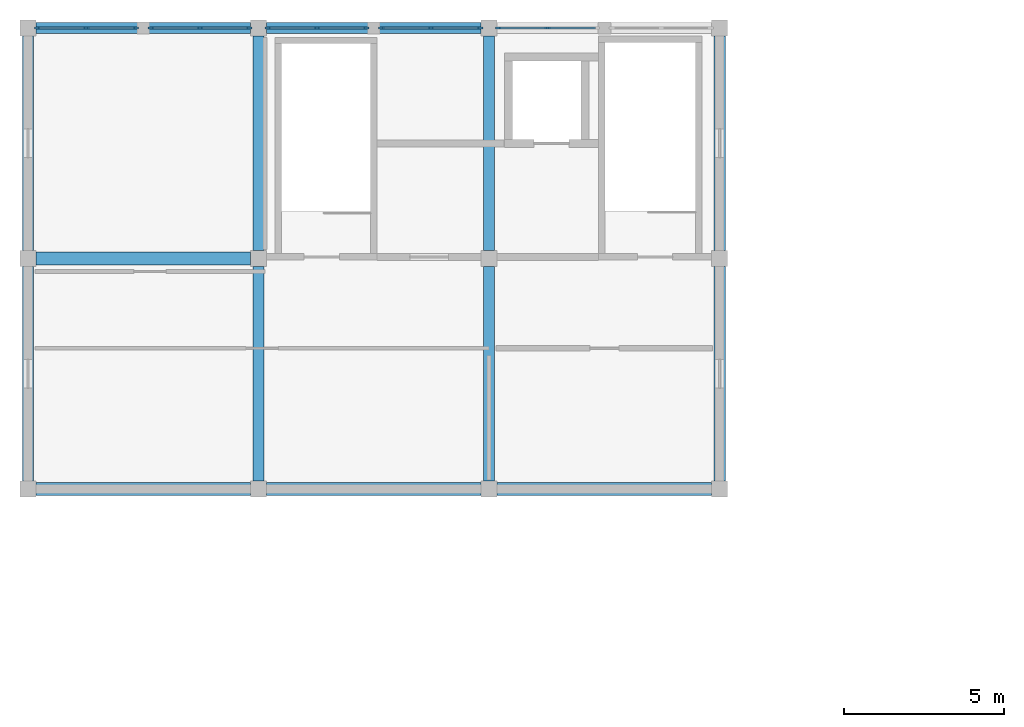
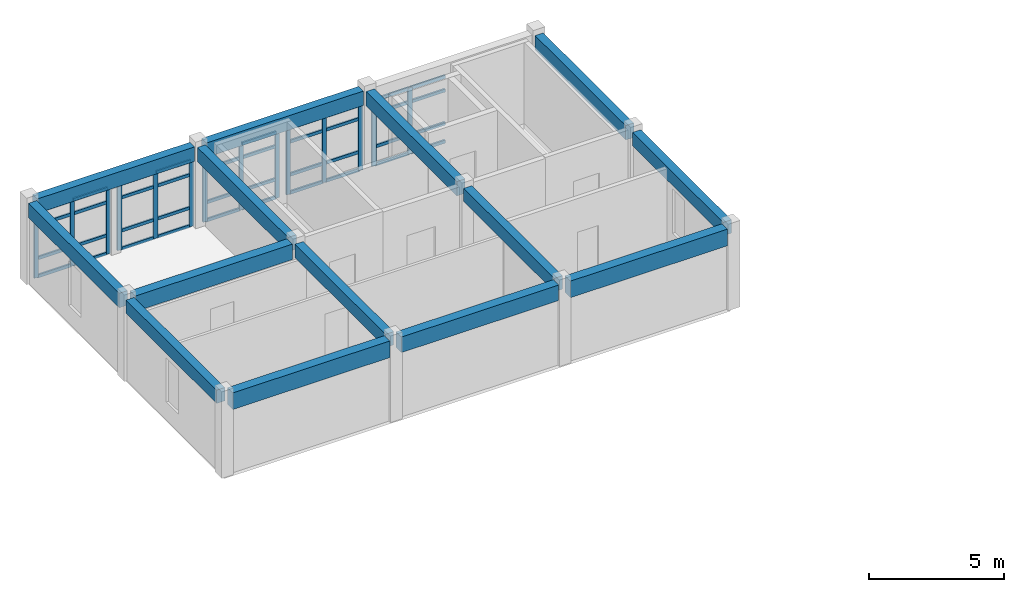
# One storey, part 4 of 14: 54 members, 14 beams, 5 elements without a shape of their own.
"""IFC4 building model written with IfcOpenShell, lengths in metres."""

from ifc_helpers import new_model, si_unit, direction, frame, origin, origin_2d, place, context, subcontext, project, spatial, rectangle, extrude, material, layer, layer_set, material_profile, profile_set, type_object, element, aggregate, save


model = new_model("IFC4")

# Units and contexts
model_context = context("Model", 3, precision=1e-05, world=origin(), true_north=direction((0.0, 1.0)))
body_context = subcontext(model_context, "Body", "Model", "MODEL_VIEW")
ifc_project = project(units=[si_unit("LENGTHUNIT", "METRE"), si_unit("AREAUNIT", "SQUARE_METRE"), si_unit("VOLUMEUNIT", "CUBIC_METRE"), si_unit("PLANEANGLEUNIT", "RADIAN"), si_unit("MASSUNIT", "GRAM", prefix="KILO")], contexts=[model_context])

# Site, building, storey
site_placement = place(None, origin())
site = spatial("IfcSite", under=ifc_project, at=site_placement, CompositionType="ELEMENT")
building_placement = place(site_placement, origin())
building = spatial("IfcBuilding", under=site, at=building_placement, Name="Koriwan Promenade Central Fire Station", CompositionType="ELEMENT")
storey_placement = place(building_placement, frame((0.0, 0.0, 21.300048828125)))
storey = spatial("IfcBuildingStorey", under=building, at=storey_placement, Name="L05", CompositionType="ELEMENT", Elevation=21.300048828125)

# Beams
ifc_material_1 = material(Name="Concrete C35/45", Category="concrete")
ifc_material_profile_1 = material_profile(ifc_material_1, rectangle(XDim=0.35009765625, YDim=0.60009765625, at=origin_2d()), Name="RC-BM-350x600")
ifc_profile_set_1 = profile_set([ifc_material_profile_1], Name="Concrete C35/45")
beam_type_1 = type_object("IfcBeamType", Name="Beam_RC-BM-350x600", PredefinedType="BEAM", material=ifc_profile_set_1)
for number, where, z_axis, x_axis, name in (
    (1, (79.199951171875, 101.050048828125, 3.349853515625), (0.0, 1.0, 0.0), (-1.0, 0.0, 0.0), "V2 L05 girder Y-204"),
    (2, (86.39990234375, 101.050048828125, 3.349853515625), (0.0, 1.0, 0.0), (-1.0, 0.0, 0.0), "V2 L05 girder Y-206"),
    (3, (93.60009765625, 101.050048828125, 3.349853515625), (0.0, 1.0, 0.0), (-1.0, 0.0, 0.0), "V2 L05 girder Y-208"),
    (4, (100.800048828125, 101.050048828125, 3.349853515625), (0.0, 1.0, 0.0), (-1.0, 0.0, 0.0), "V2 L05 girder Y-210"),
):
    element("IfcBeam", number, at=place(storey_placement, frame(where, z_axis=z_axis, x_axis=x_axis)), inside=storey, type_object=beam_type_1, Name=name, PredefinedType="BEAM", context=body_context, shape_type="SweptSolid", body=[
        extrude(rectangle(XDim=0.35009765625, YDim=0.60009765625, at=origin_2d()), origin(), (0.0, 0.0, 1.0), 6.699951171875),
    ])
ifc_material_profile_2 = material_profile(ifc_material_1, rectangle(XDim=0.35009765625, YDim=0.64990234375, at=origin_2d()), Name="RC-BM-350x650")
ifc_profile_set_2 = profile_set([ifc_material_profile_2], Name="Concrete C35/45")
beam_type_2 = type_object("IfcBeamType", Name="Beam_RC-BM-350x650", PredefinedType="BEAM", material=ifc_profile_set_2)
for number, where, z_axis, x_axis, name in (
    (5, (79.199951171875, 108.25, 3.324951171875), (0.0, 1.0, 0.0), (-1.0, 0.0, 0.0), "V2 L05 girder Y-205"),
    (6, (86.39990234375, 108.25, 3.324951171875), (0.0, 1.0, 0.0), (-1.0, 0.0, 0.0), "V2 L05 girder Y-207"),
    (7, (93.60009765625, 108.25, 3.324951171875), (0.0, 1.0, 0.0), (-1.0, 0.0, 0.0), "V2 L05 girder Y-209"),
    (8, (100.800048828125, 108.25, 3.324951171875), (0.0, 1.0, 0.0), (-1.0, 0.0, 0.0), "V2 L05 girder Y-211"),
):
    element("IfcBeam", number, at=place(storey_placement, frame(where, z_axis=z_axis, x_axis=x_axis)), inside=storey, type_object=beam_type_2, Name=name, PredefinedType="BEAM", context=body_context, shape_type="SweptSolid", body=[
        extrude(rectangle(XDim=0.35009765625, YDim=0.64990234375, at=origin_2d()), origin(), (0.0, 0.0, 1.0), 6.699951171875),
    ])
ifc_material_profile_3 = material_profile(ifc_material_1, rectangle(XDim=0.39990234375, YDim=0.699951171875, at=origin_2d()), Name="RC-BM-400x700")
ifc_profile_set_3 = profile_set([ifc_material_profile_3], Name="Concrete C35/45")
beam_type_3 = type_object("IfcBeamType", Name="Beam_RC-BM-400x700", PredefinedType="BEAM", material=ifc_profile_set_3)
beam_1_placement = place(storey_placement, frame((86.64990234375, 100.800048828125, 3.300048828125), z_axis=(1.0, 0.0, 0.0), x_axis=(0.0, 1.0, 0.0)))
element("IfcBeam", 9, at=beam_1_placement, inside=storey, type_object=beam_type_3, Name="V2 L05 girder X-198", PredefinedType="BEAM", context=body_context, shape_type="SweptSolid", body=[
    extrude(rectangle(XDim=0.39990234375, YDim=0.699951171875, at=origin_2d()), origin(), (0.0, 0.0, 1.0), 6.7001953125),
])
beam_2_placement = place(storey_placement, frame((79.449951171875, 108.0, 3.300048828125), z_axis=(1.0, 0.0, 0.0), x_axis=(0.0, 1.0, 0.0)))
element("IfcBeam", 10, at=beam_2_placement, inside=storey, type_object=beam_type_3, Name="V2 L05 girder X-200", PredefinedType="BEAM", context=body_context, shape_type="SweptSolid", body=[
    extrude(rectangle(XDim=0.39990234375, YDim=0.699951171875, at=origin_2d()), origin(), (0.0, 0.0, 1.0), 6.699951171875),
])
ifc_material_profile_4 = material_profile(ifc_material_1, rectangle(XDim=0.39990234375, YDim=0.75, at=origin_2d()), Name="RC-BM-400x750")
ifc_profile_set_4 = profile_set([ifc_material_profile_4], Name="Concrete C35/45")
beam_type_4 = type_object("IfcBeamType", Name="Beam_RC-BM-400x750", PredefinedType="BEAM", material=ifc_profile_set_4)
for number, where, z_axis, x_axis, name in (
    (11, (79.449951171875, 100.800048828125, 3.27490234375), (1.0, 0.0, 0.0), (0.0, 1.0, 0.0), "V2 L05 girder X-197"),
    (12, (93.85009765625, 100.800048828125, 3.27490234375), (1.0, 0.0, 0.0), (0.0, 1.0, 0.0), "V2 L05 girder X-199"),
):
    element("IfcBeam", number, at=place(storey_placement, frame(where, z_axis=z_axis, x_axis=x_axis)), inside=storey, type_object=beam_type_4, Name=name, PredefinedType="BEAM", context=body_context, shape_type="SweptSolid", body=[
        extrude(rectangle(XDim=0.39990234375, YDim=0.75, at=origin_2d()), origin(), (0.0, 0.0, 1.0), 6.699951171875),
    ])
ifc_material_profile_5 = material_profile(ifc_material_1, rectangle(XDim=0.35009765625, YDim=0.64990234375, at=origin_2d()), Name="RC-SP-350x650")
ifc_profile_set_5 = profile_set([ifc_material_profile_5], Name="Concrete C35/45")
beam_type_5 = type_object("IfcBeamType", Name="Beam_RC-SP-350x650", PredefinedType="SPANDREL", material=ifc_profile_set_5)
beam_3_placement = place(storey_placement, frame((79.449951171875, 115.199951171875, 3.324951171875), z_axis=(1.0, 0.0, 0.0), x_axis=(0.0, 1.0, 0.0)))
element("IfcBeam", 13, at=beam_3_placement, inside=storey, type_object=beam_type_5, Name="V2 L05 girder X-201", PredefinedType="SPANDREL", context=body_context, shape_type="SweptSolid", body=[
    extrude(rectangle(XDim=0.35009765625, YDim=0.64990234375, at=origin_2d()), origin(), (0.0, 0.0, 1.0), 6.699951171875),
])
beam_4_placement = place(storey_placement, frame((86.64990234375, 115.199951171875, 3.324951171875), z_axis=(1.0, 0.0, 0.0), x_axis=(0.0, 1.0, 0.0)))
element("IfcBeam", 14, at=beam_4_placement, inside=storey, type_object=beam_type_5, Name="V2 L05 girder X-202", PredefinedType="SPANDREL", context=body_context, shape_type="SweptSolid", body=[
    extrude(rectangle(XDim=0.35009765625, YDim=0.64990234375, at=origin_2d()), origin(), (0.0, 0.0, 1.0), 6.7001953125),
])

# Curtain wall, members
ifc_material_2 = material(Name="Aluminium EN AW-6063-T6 and low-E glazing", Category="aluminium")
ifc_layer = layer(ifc_material_2, 0.159912109375, Name="Aluminium EN AW-6063-T6 and low-E glazing")
ifc_layer_set = layer_set([ifc_layer], Name="Aluminium EN AW-6063-T6 and low-E glazing")
curtain_wall_type = type_object("IfcCurtainWallType", Name="CurtainWall_15_315x299", PredefinedType="USERDEFINED", material=ifc_layer_set)
curtain_wall_1_placement = place(storey_placement, origin())
curtain_wall_1 = element("IfcCurtainWall", 15, at=curtain_wall_1_placement, inside=storey, type_object=curtain_wall_type, Name="V2 L05 unitised curtain wall 046", ObjectType="UNITISED CURTAIN WALL", PredefinedType="USERDEFINED")
ifc_material_3 = material(Name="Aluminium EN AW-6063-T6", Category="aluminium")
ifc_material_profile_6 = material_profile(ifc_material_3, rectangle(XDim=0.074951171875, YDim=0.179931640625, at=origin_2d()), Name="ALU-MUL-75x180")
ifc_profile_set_6 = profile_set([ifc_material_profile_6], Name="Aluminium EN AW-6063-T6")
member_type_1 = type_object("IfcMemberType", Name="CWMullion_ALU-MUL-75x180", PredefinedType="MULLION", material=ifc_profile_set_6)
member_1_placement = place(storey_placement, frame((95.425048828125, 115.199951171875, 0.0), z_axis=(0.0, 0.0, 1.0), x_axis=(0.0, -1.0, 0.0)))
member_1 = element("IfcMember", 16, at=member_1_placement, type_object=member_type_1, Name="CW-15 mullion 2", PredefinedType="MULLION", context=body_context, shape_type="SweptSolid", body=[
    extrude(rectangle(XDim=0.074951171875, YDim=0.179931640625, at=origin_2d()), origin(), (0.0, 0.0, 1.0), 2.989990234375),
])
member_2_placement = place(storey_placement, frame((93.887451171875, 115.199951171875, 0.0), z_axis=(0.0, 0.0, 1.0), x_axis=(0.0, -1.0, 0.0)))
member_2 = element("IfcMember", 17, at=member_2_placement, type_object=member_type_1, Name="CW-15 mullion 3", PredefinedType="MULLION", context=body_context, shape_type="SweptSolid", body=[
    extrude(rectangle(XDim=0.074951171875, YDim=0.179931640625, at=origin_2d()), origin(), (0.0, 0.0, 1.0), 2.989990234375),
])

curtain_wall_2_placement = place(storey_placement, origin())
curtain_wall_2 = element("IfcCurtainWall", 18, at=curtain_wall_2_placement, inside=storey, type_object=curtain_wall_type, Name="V2 L05 unitised curtain wall 047", ObjectType="UNITISED CURTAIN WALL", PredefinedType="USERDEFINED")
member_3_placement = place(storey_placement, frame((93.3125, 115.199951171875, 0.0), z_axis=(0.0, 0.0, 1.0), x_axis=(0.0, -1.0, 0.0)))
member_3 = element("IfcMember", 19, at=member_3_placement, type_object=member_type_1, Name="CW-15 mullion 1", PredefinedType="MULLION", context=body_context, shape_type="SweptSolid", body=[
    extrude(rectangle(XDim=0.074951171875, YDim=0.179931640625, at=origin_2d()), origin(), (0.0, 0.0, 1.0), 2.989990234375),
])
member_4_placement = place(storey_placement, frame((91.77490234375, 115.199951171875, 0.0), z_axis=(0.0, 0.0, 1.0), x_axis=(0.0, -1.0, 0.0)))
member_4 = element("IfcMember", 20, at=member_4_placement, type_object=member_type_1, Name="CW-15 mullion 2", PredefinedType="MULLION", context=body_context, shape_type="SweptSolid", body=[
    extrude(rectangle(XDim=0.074951171875, YDim=0.179931640625, at=origin_2d()), origin(), (0.0, 0.0, 1.0), 2.989990234375),
])
member_5_placement = place(storey_placement, frame((90.237548828125, 115.199951171875, 0.0), z_axis=(0.0, 0.0, 1.0), x_axis=(0.0, -1.0, 0.0)))
member_5 = element("IfcMember", 21, at=member_5_placement, type_object=member_type_1, Name="CW-15 mullion 3", PredefinedType="MULLION", context=body_context, shape_type="SweptSolid", body=[
    extrude(rectangle(XDim=0.074951171875, YDim=0.179931640625, at=origin_2d()), origin(), (0.0, 0.0, 1.0), 2.989990234375),
])

curtain_wall_3_placement = place(storey_placement, origin())
curtain_wall_3 = element("IfcCurtainWall", 22, at=curtain_wall_3_placement, inside=storey, type_object=curtain_wall_type, Name="V2 L05 unitised curtain wall 048", ObjectType="UNITISED CURTAIN WALL", PredefinedType="USERDEFINED")
member_6_placement = place(storey_placement, frame((89.762451171875, 115.199951171875, 0.0), z_axis=(0.0, 0.0, 1.0), x_axis=(0.0, -1.0, 0.0)))
member_6 = element("IfcMember", 23, at=member_6_placement, type_object=member_type_1, Name="CW-15 mullion 1", PredefinedType="MULLION", context=body_context, shape_type="SweptSolid", body=[
    extrude(rectangle(XDim=0.074951171875, YDim=0.179931640625, at=origin_2d()), origin(), (0.0, 0.0, 1.0), 2.989990234375),
])
member_7_placement = place(storey_placement, frame((88.22509765625, 115.199951171875, 0.0), z_axis=(0.0, 0.0, 1.0), x_axis=(0.0, -1.0, 0.0)))
member_7 = element("IfcMember", 24, at=member_7_placement, type_object=member_type_1, Name="CW-15 mullion 2", PredefinedType="MULLION", context=body_context, shape_type="SweptSolid", body=[
    extrude(rectangle(XDim=0.074951171875, YDim=0.179931640625, at=origin_2d()), origin(), (0.0, 0.0, 1.0), 2.989990234375),
])
member_8_placement = place(storey_placement, frame((86.6875, 115.199951171875, 0.0), z_axis=(0.0, 0.0, 1.0), x_axis=(0.0, -1.0, 0.0)))
member_8 = element("IfcMember", 25, at=member_8_placement, type_object=member_type_1, Name="CW-15 mullion 3", PredefinedType="MULLION", context=body_context, shape_type="SweptSolid", body=[
    extrude(rectangle(XDim=0.074951171875, YDim=0.179931640625, at=origin_2d()), origin(), (0.0, 0.0, 1.0), 2.989990234375),
])

curtain_wall_4_placement = place(storey_placement, origin())
curtain_wall_4 = element("IfcCurtainWall", 26, at=curtain_wall_4_placement, inside=storey, type_object=curtain_wall_type, Name="V2 L05 unitised curtain wall 049", ObjectType="UNITISED CURTAIN WALL", PredefinedType="USERDEFINED")
member_9_placement = place(storey_placement, frame((86.112548828125, 115.199951171875, 0.0), z_axis=(0.0, 0.0, 1.0), x_axis=(0.0, -1.0, 0.0)))
member_9 = element("IfcMember", 27, at=member_9_placement, type_object=member_type_1, Name="CW-15 mullion 1", PredefinedType="MULLION", context=body_context, shape_type="SweptSolid", body=[
    extrude(rectangle(XDim=0.074951171875, YDim=0.179931640625, at=origin_2d()), origin(), (0.0, 0.0, 1.0), 2.989990234375),
])
member_10_placement = place(storey_placement, frame((84.574951171875, 115.199951171875, 0.0), z_axis=(0.0, 0.0, 1.0), x_axis=(0.0, -1.0, 0.0)))
member_10 = element("IfcMember", 28, at=member_10_placement, type_object=member_type_1, Name="CW-15 mullion 2", PredefinedType="MULLION", context=body_context, shape_type="SweptSolid", body=[
    extrude(rectangle(XDim=0.074951171875, YDim=0.179931640625, at=origin_2d()), origin(), (0.0, 0.0, 1.0), 2.989990234375),
])
member_11_placement = place(storey_placement, frame((83.03759765625, 115.199951171875, 0.0), z_axis=(0.0, 0.0, 1.0), x_axis=(0.0, -1.0, 0.0)))
member_11 = element("IfcMember", 29, at=member_11_placement, type_object=member_type_1, Name="CW-15 mullion 3", PredefinedType="MULLION", context=body_context, shape_type="SweptSolid", body=[
    extrude(rectangle(XDim=0.074951171875, YDim=0.179931640625, at=origin_2d()), origin(), (0.0, 0.0, 1.0), 2.989990234375),
])

curtain_wall_5_placement = place(storey_placement, origin())
curtain_wall_5 = element("IfcCurtainWall", 30, at=curtain_wall_5_placement, inside=storey, type_object=curtain_wall_type, Name="V2 L05 unitised curtain wall 050", ObjectType="UNITISED CURTAIN WALL", PredefinedType="USERDEFINED")
member_12_placement = place(storey_placement, frame((82.5625, 115.199951171875, 0.0), z_axis=(0.0, 0.0, 1.0), x_axis=(0.0, -1.0, 0.0)))
member_12 = element("IfcMember", 31, at=member_12_placement, type_object=member_type_1, Name="CW-15 mullion 1", PredefinedType="MULLION", context=body_context, shape_type="SweptSolid", body=[
    extrude(rectangle(XDim=0.074951171875, YDim=0.179931640625, at=origin_2d()), origin(), (0.0, 0.0, 1.0), 2.989990234375),
])
member_13_placement = place(storey_placement, frame((81.02490234375, 115.199951171875, 0.0), z_axis=(0.0, 0.0, 1.0), x_axis=(0.0, -1.0, 0.0)))
member_13 = element("IfcMember", 32, at=member_13_placement, type_object=member_type_1, Name="CW-15 mullion 2", PredefinedType="MULLION", context=body_context, shape_type="SweptSolid", body=[
    extrude(rectangle(XDim=0.074951171875, YDim=0.179931640625, at=origin_2d()), origin(), (0.0, 0.0, 1.0), 2.989990234375),
])
member_14_placement = place(storey_placement, frame((79.487548828125, 115.199951171875, 0.0), z_axis=(0.0, 0.0, 1.0), x_axis=(0.0, -1.0, 0.0)))
member_14 = element("IfcMember", 33, at=member_14_placement, type_object=member_type_1, Name="CW-15 mullion 3", PredefinedType="MULLION", context=body_context, shape_type="SweptSolid", body=[
    extrude(rectangle(XDim=0.074951171875, YDim=0.179931640625, at=origin_2d()), origin(), (0.0, 0.0, 1.0), 2.989990234375),
])

# Member
ifc_material_profile_7 = material_profile(ifc_material_3, rectangle(XDim=0.074951171875, YDim=0.139892578125, at=origin_2d()), Name="ALU-TRN-75x140")
ifc_profile_set_7 = profile_set([ifc_material_profile_7], Name="Aluminium EN AW-6063-T6")
member_type_2 = type_object("IfcMemberType", Name="CWTransom_ALU-TRN-75x140", PredefinedType="USERDEFINED", material=ifc_profile_set_7)
member_15_placement = place(storey_placement, frame((96.925048828125, 115.199951171875, 0.037353515625), z_axis=(-1.0, 0.0, 0.0), x_axis=(0.0, -1.0, 0.0)))
member_15 = element("IfcMember", 34, at=member_15_placement, type_object=member_type_2, Name="CW-15 transom 1.1", ObjectType="TRANSOM", PredefinedType="USERDEFINED", context=body_context, shape_type="SweptSolid", body=[
    extrude(rectangle(XDim=0.074951171875, YDim=0.139892578125, at=origin_2d()), origin(), (0.0, 0.0, 1.0), 1.462646484375),
])

member_16_placement = place(storey_placement, frame((96.925048828125, 115.199951171875, 0.849853515625), z_axis=(-1.0, 0.0, 0.0), x_axis=(0.0, -1.0, 0.0)))
member_16 = element("IfcMember", 35, at=member_16_placement, type_object=member_type_2, Name="CW-15 transom 1.2", ObjectType="TRANSOM", PredefinedType="USERDEFINED", context=body_context, shape_type="SweptSolid", body=[
    extrude(rectangle(XDim=0.074951171875, YDim=0.139892578125, at=origin_2d()), origin(), (0.0, 0.0, 1.0), 1.462646484375),
])

member_17_placement = place(storey_placement, frame((96.925048828125, 115.199951171875, 2.33984375), z_axis=(-1.0, 0.0, 0.0), x_axis=(0.0, -1.0, 0.0)))
member_17 = element("IfcMember", 36, at=member_17_placement, type_object=member_type_2, Name="CW-15 transom 1.3", ObjectType="TRANSOM", PredefinedType="USERDEFINED", context=body_context, shape_type="SweptSolid", body=[
    extrude(rectangle(XDim=0.074951171875, YDim=0.139892578125, at=origin_2d()), origin(), (0.0, 0.0, 1.0), 1.462646484375),
])

member_18_placement = place(storey_placement, frame((96.925048828125, 115.199951171875, 2.952392578125), z_axis=(-1.0, 0.0, 0.0), x_axis=(0.0, -1.0, 0.0)))
member_18 = element("IfcMember", 37, at=member_18_placement, type_object=member_type_2, Name="CW-15 transom 1.4", ObjectType="TRANSOM", PredefinedType="USERDEFINED", context=body_context, shape_type="SweptSolid", body=[
    extrude(rectangle(XDim=0.074951171875, YDim=0.139892578125, at=origin_2d()), origin(), (0.0, 0.0, 1.0), 1.462646484375),
])

member_19_placement = place(storey_placement, frame((95.387451171875, 115.199951171875, 0.037353515625), z_axis=(-1.0, 0.0, 0.0), x_axis=(0.0, -1.0, 0.0)))
member_19 = element("IfcMember", 38, at=member_19_placement, type_object=member_type_2, Name="CW-15 transom 2.1", ObjectType="TRANSOM", PredefinedType="USERDEFINED", context=body_context, shape_type="SweptSolid", body=[
    extrude(rectangle(XDim=0.074951171875, YDim=0.139892578125, at=origin_2d()), origin(), (0.0, 0.0, 1.0), 1.46240234375),
])

member_20_placement = place(storey_placement, frame((95.387451171875, 115.199951171875, 0.849853515625), z_axis=(-1.0, 0.0, 0.0), x_axis=(0.0, -1.0, 0.0)))
member_20 = element("IfcMember", 39, at=member_20_placement, type_object=member_type_2, Name="CW-15 transom 2.2", ObjectType="TRANSOM", PredefinedType="USERDEFINED", context=body_context, shape_type="SweptSolid", body=[
    extrude(rectangle(XDim=0.074951171875, YDim=0.139892578125, at=origin_2d()), origin(), (0.0, 0.0, 1.0), 1.46240234375),
])

member_21_placement = place(storey_placement, frame((95.387451171875, 115.199951171875, 2.33984375), z_axis=(-1.0, 0.0, 0.0), x_axis=(0.0, -1.0, 0.0)))
member_21 = element("IfcMember", 40, at=member_21_placement, type_object=member_type_2, Name="CW-15 transom 2.3", ObjectType="TRANSOM", PredefinedType="USERDEFINED", context=body_context, shape_type="SweptSolid", body=[
    extrude(rectangle(XDim=0.074951171875, YDim=0.139892578125, at=origin_2d()), origin(), (0.0, 0.0, 1.0), 1.46240234375),
])

member_22_placement = place(storey_placement, frame((95.387451171875, 115.199951171875, 2.952392578125), z_axis=(-1.0, 0.0, 0.0), x_axis=(0.0, -1.0, 0.0)))
member_22 = element("IfcMember", 41, at=member_22_placement, type_object=member_type_2, Name="CW-15 transom 2.4", ObjectType="TRANSOM", PredefinedType="USERDEFINED", context=body_context, shape_type="SweptSolid", body=[
    extrude(rectangle(XDim=0.074951171875, YDim=0.139892578125, at=origin_2d()), origin(), (0.0, 0.0, 1.0), 1.46240234375),
])

aggregate(curtain_wall_1, [member_1, member_2, member_15, member_16, member_17, member_18, member_19, member_20, member_21, member_22])

member_23_placement = place(storey_placement, frame((93.27490234375, 115.199951171875, 0.037353515625), z_axis=(-1.0, 0.0, 0.0), x_axis=(0.0, -1.0, 0.0)))
member_23 = element("IfcMember", 42, at=member_23_placement, type_object=member_type_2, Name="CW-15 transom 1.1", ObjectType="TRANSOM", PredefinedType="USERDEFINED", context=body_context, shape_type="SweptSolid", body=[
    extrude(rectangle(XDim=0.074951171875, YDim=0.139892578125, at=origin_2d()), origin(), (0.0, 0.0, 1.0), 1.46240234375),
])

member_24_placement = place(storey_placement, frame((93.27490234375, 115.199951171875, 0.849853515625), z_axis=(-1.0, 0.0, 0.0), x_axis=(0.0, -1.0, 0.0)))
member_24 = element("IfcMember", 43, at=member_24_placement, type_object=member_type_2, Name="CW-15 transom 1.2", ObjectType="TRANSOM", PredefinedType="USERDEFINED", context=body_context, shape_type="SweptSolid", body=[
    extrude(rectangle(XDim=0.074951171875, YDim=0.139892578125, at=origin_2d()), origin(), (0.0, 0.0, 1.0), 1.46240234375),
])

member_25_placement = place(storey_placement, frame((93.27490234375, 115.199951171875, 2.33984375), z_axis=(-1.0, 0.0, 0.0), x_axis=(0.0, -1.0, 0.0)))
member_25 = element("IfcMember", 44, at=member_25_placement, type_object=member_type_2, Name="CW-15 transom 1.3", ObjectType="TRANSOM", PredefinedType="USERDEFINED", context=body_context, shape_type="SweptSolid", body=[
    extrude(rectangle(XDim=0.074951171875, YDim=0.139892578125, at=origin_2d()), origin(), (0.0, 0.0, 1.0), 1.46240234375),
])

member_26_placement = place(storey_placement, frame((93.27490234375, 115.199951171875, 2.952392578125), z_axis=(-1.0, 0.0, 0.0), x_axis=(0.0, -1.0, 0.0)))
member_26 = element("IfcMember", 45, at=member_26_placement, type_object=member_type_2, Name="CW-15 transom 1.4", ObjectType="TRANSOM", PredefinedType="USERDEFINED", context=body_context, shape_type="SweptSolid", body=[
    extrude(rectangle(XDim=0.074951171875, YDim=0.139892578125, at=origin_2d()), origin(), (0.0, 0.0, 1.0), 1.46240234375),
])

member_27_placement = place(storey_placement, frame((91.737548828125, 115.199951171875, 0.037353515625), z_axis=(-1.0, 0.0, 0.0), x_axis=(0.0, -1.0, 0.0)))
member_27 = element("IfcMember", 46, at=member_27_placement, type_object=member_type_2, Name="CW-15 transom 2.1", ObjectType="TRANSOM", PredefinedType="USERDEFINED", context=body_context, shape_type="SweptSolid", body=[
    extrude(rectangle(XDim=0.074951171875, YDim=0.139892578125, at=origin_2d()), origin(), (0.0, 0.0, 1.0), 1.462646484375),
])

member_28_placement = place(storey_placement, frame((91.737548828125, 115.199951171875, 0.849853515625), z_axis=(-1.0, 0.0, 0.0), x_axis=(0.0, -1.0, 0.0)))
member_28 = element("IfcMember", 47, at=member_28_placement, type_object=member_type_2, Name="CW-15 transom 2.2", ObjectType="TRANSOM", PredefinedType="USERDEFINED", context=body_context, shape_type="SweptSolid", body=[
    extrude(rectangle(XDim=0.074951171875, YDim=0.139892578125, at=origin_2d()), origin(), (0.0, 0.0, 1.0), 1.462646484375),
])

member_29_placement = place(storey_placement, frame((91.737548828125, 115.199951171875, 2.33984375), z_axis=(-1.0, 0.0, 0.0), x_axis=(0.0, -1.0, 0.0)))
member_29 = element("IfcMember", 48, at=member_29_placement, type_object=member_type_2, Name="CW-15 transom 2.3", ObjectType="TRANSOM", PredefinedType="USERDEFINED", context=body_context, shape_type="SweptSolid", body=[
    extrude(rectangle(XDim=0.074951171875, YDim=0.139892578125, at=origin_2d()), origin(), (0.0, 0.0, 1.0), 1.462646484375),
])

member_30_placement = place(storey_placement, frame((91.737548828125, 115.199951171875, 2.952392578125), z_axis=(-1.0, 0.0, 0.0), x_axis=(0.0, -1.0, 0.0)))
member_30 = element("IfcMember", 49, at=member_30_placement, type_object=member_type_2, Name="CW-15 transom 2.4", ObjectType="TRANSOM", PredefinedType="USERDEFINED", context=body_context, shape_type="SweptSolid", body=[
    extrude(rectangle(XDim=0.074951171875, YDim=0.139892578125, at=origin_2d()), origin(), (0.0, 0.0, 1.0), 1.462646484375),
])

aggregate(curtain_wall_2, [member_3, member_4, member_5, member_23, member_24, member_25, member_26, member_27, member_28, member_29, member_30])

member_31_placement = place(storey_placement, frame((89.72509765625, 115.199951171875, 0.037353515625), z_axis=(-1.0, 0.0, 0.0), x_axis=(0.0, -1.0, 0.0)))
member_31 = element("IfcMember", 50, at=member_31_placement, type_object=member_type_2, Name="CW-15 transom 1.1", ObjectType="TRANSOM", PredefinedType="USERDEFINED", context=body_context, shape_type="SweptSolid", body=[
    extrude(rectangle(XDim=0.074951171875, YDim=0.139892578125, at=origin_2d()), origin(), (0.0, 0.0, 1.0), 1.462646484375),
])

member_32_placement = place(storey_placement, frame((89.72509765625, 115.199951171875, 0.849853515625), z_axis=(-1.0, 0.0, 0.0), x_axis=(0.0, -1.0, 0.0)))
member_32 = element("IfcMember", 51, at=member_32_placement, type_object=member_type_2, Name="CW-15 transom 1.2", ObjectType="TRANSOM", PredefinedType="USERDEFINED", context=body_context, shape_type="SweptSolid", body=[
    extrude(rectangle(XDim=0.074951171875, YDim=0.139892578125, at=origin_2d()), origin(), (0.0, 0.0, 1.0), 1.462646484375),
])

member_33_placement = place(storey_placement, frame((89.72509765625, 115.199951171875, 2.33984375), z_axis=(-1.0, 0.0, 0.0), x_axis=(0.0, -1.0, 0.0)))
member_33 = element("IfcMember", 52, at=member_33_placement, type_object=member_type_2, Name="CW-15 transom 1.3", ObjectType="TRANSOM", PredefinedType="USERDEFINED", context=body_context, shape_type="SweptSolid", body=[
    extrude(rectangle(XDim=0.074951171875, YDim=0.139892578125, at=origin_2d()), origin(), (0.0, 0.0, 1.0), 1.462646484375),
])

member_34_placement = place(storey_placement, frame((89.72509765625, 115.199951171875, 2.952392578125), z_axis=(-1.0, 0.0, 0.0), x_axis=(0.0, -1.0, 0.0)))
member_34 = element("IfcMember", 53, at=member_34_placement, type_object=member_type_2, Name="CW-15 transom 1.4", ObjectType="TRANSOM", PredefinedType="USERDEFINED", context=body_context, shape_type="SweptSolid", body=[
    extrude(rectangle(XDim=0.074951171875, YDim=0.139892578125, at=origin_2d()), origin(), (0.0, 0.0, 1.0), 1.462646484375),
])

member_35_placement = place(storey_placement, frame((88.1875, 115.199951171875, 0.037353515625), z_axis=(-1.0, 0.0, 0.0), x_axis=(0.0, -1.0, 0.0)))
member_35 = element("IfcMember", 54, at=member_35_placement, type_object=member_type_2, Name="CW-15 transom 2.1", ObjectType="TRANSOM", PredefinedType="USERDEFINED", context=body_context, shape_type="SweptSolid", body=[
    extrude(rectangle(XDim=0.074951171875, YDim=0.139892578125, at=origin_2d()), origin(), (0.0, 0.0, 1.0), 1.46240234375),
])

member_36_placement = place(storey_placement, frame((88.1875, 115.199951171875, 0.849853515625), z_axis=(-1.0, 0.0, 0.0), x_axis=(0.0, -1.0, 0.0)))
member_36 = element("IfcMember", 55, at=member_36_placement, type_object=member_type_2, Name="CW-15 transom 2.2", ObjectType="TRANSOM", PredefinedType="USERDEFINED", context=body_context, shape_type="SweptSolid", body=[
    extrude(rectangle(XDim=0.074951171875, YDim=0.139892578125, at=origin_2d()), origin(), (0.0, 0.0, 1.0), 1.46240234375),
])

member_37_placement = place(storey_placement, frame((88.1875, 115.199951171875, 2.33984375), z_axis=(-1.0, 0.0, 0.0), x_axis=(0.0, -1.0, 0.0)))
member_37 = element("IfcMember", 56, at=member_37_placement, type_object=member_type_2, Name="CW-15 transom 2.3", ObjectType="TRANSOM", PredefinedType="USERDEFINED", context=body_context, shape_type="SweptSolid", body=[
    extrude(rectangle(XDim=0.074951171875, YDim=0.139892578125, at=origin_2d()), origin(), (0.0, 0.0, 1.0), 1.46240234375),
])

member_38_placement = place(storey_placement, frame((88.1875, 115.199951171875, 2.952392578125), z_axis=(-1.0, 0.0, 0.0), x_axis=(0.0, -1.0, 0.0)))
member_38 = element("IfcMember", 57, at=member_38_placement, type_object=member_type_2, Name="CW-15 transom 2.4", ObjectType="TRANSOM", PredefinedType="USERDEFINED", context=body_context, shape_type="SweptSolid", body=[
    extrude(rectangle(XDim=0.074951171875, YDim=0.139892578125, at=origin_2d()), origin(), (0.0, 0.0, 1.0), 1.46240234375),
])

aggregate(curtain_wall_3, [member_6, member_7, member_8, member_31, member_32, member_33, member_34, member_35, member_36, member_37, member_38])

member_39_placement = place(storey_placement, frame((86.074951171875, 115.199951171875, 0.037353515625), z_axis=(-1.0, 0.0, 0.0), x_axis=(0.0, -1.0, 0.0)))
member_39 = element("IfcMember", 58, at=member_39_placement, type_object=member_type_2, Name="CW-15 transom 1.1", ObjectType="TRANSOM", PredefinedType="USERDEFINED", context=body_context, shape_type="SweptSolid", body=[
    extrude(rectangle(XDim=0.074951171875, YDim=0.139892578125, at=origin_2d()), origin(), (0.0, 0.0, 1.0), 1.46240234375),
])

member_40_placement = place(storey_placement, frame((86.074951171875, 115.199951171875, 0.849853515625), z_axis=(-1.0, 0.0, 0.0), x_axis=(0.0, -1.0, 0.0)))
member_40 = element("IfcMember", 59, at=member_40_placement, type_object=member_type_2, Name="CW-15 transom 1.2", ObjectType="TRANSOM", PredefinedType="USERDEFINED", context=body_context, shape_type="SweptSolid", body=[
    extrude(rectangle(XDim=0.074951171875, YDim=0.139892578125, at=origin_2d()), origin(), (0.0, 0.0, 1.0), 1.46240234375),
])

member_41_placement = place(storey_placement, frame((86.074951171875, 115.199951171875, 2.33984375), z_axis=(-1.0, 0.0, 0.0), x_axis=(0.0, -1.0, 0.0)))
member_41 = element("IfcMember", 60, at=member_41_placement, type_object=member_type_2, Name="CW-15 transom 1.3", ObjectType="TRANSOM", PredefinedType="USERDEFINED", context=body_context, shape_type="SweptSolid", body=[
    extrude(rectangle(XDim=0.074951171875, YDim=0.139892578125, at=origin_2d()), origin(), (0.0, 0.0, 1.0), 1.46240234375),
])

member_42_placement = place(storey_placement, frame((86.074951171875, 115.199951171875, 2.952392578125), z_axis=(-1.0, 0.0, 0.0), x_axis=(0.0, -1.0, 0.0)))
member_42 = element("IfcMember", 61, at=member_42_placement, type_object=member_type_2, Name="CW-15 transom 1.4", ObjectType="TRANSOM", PredefinedType="USERDEFINED", context=body_context, shape_type="SweptSolid", body=[
    extrude(rectangle(XDim=0.074951171875, YDim=0.139892578125, at=origin_2d()), origin(), (0.0, 0.0, 1.0), 1.46240234375),
])

member_43_placement = place(storey_placement, frame((84.53759765625, 115.199951171875, 0.037353515625), z_axis=(-1.0, 0.0, 0.0), x_axis=(0.0, -1.0, 0.0)))
member_43 = element("IfcMember", 62, at=member_43_placement, type_object=member_type_2, Name="CW-15 transom 2.1", ObjectType="TRANSOM", PredefinedType="USERDEFINED", context=body_context, shape_type="SweptSolid", body=[
    extrude(rectangle(XDim=0.074951171875, YDim=0.139892578125, at=origin_2d()), origin(), (0.0, 0.0, 1.0), 1.462646484375),
])

member_44_placement = place(storey_placement, frame((84.53759765625, 115.199951171875, 0.849853515625), z_axis=(-1.0, 0.0, 0.0), x_axis=(0.0, -1.0, 0.0)))
member_44 = element("IfcMember", 63, at=member_44_placement, type_object=member_type_2, Name="CW-15 transom 2.2", ObjectType="TRANSOM", PredefinedType="USERDEFINED", context=body_context, shape_type="SweptSolid", body=[
    extrude(rectangle(XDim=0.074951171875, YDim=0.139892578125, at=origin_2d()), origin(), (0.0, 0.0, 1.0), 1.462646484375),
])

member_45_placement = place(storey_placement, frame((84.53759765625, 115.199951171875, 2.33984375), z_axis=(-1.0, 0.0, 0.0), x_axis=(0.0, -1.0, 0.0)))
member_45 = element("IfcMember", 64, at=member_45_placement, type_object=member_type_2, Name="CW-15 transom 2.3", ObjectType="TRANSOM", PredefinedType="USERDEFINED", context=body_context, shape_type="SweptSolid", body=[
    extrude(rectangle(XDim=0.074951171875, YDim=0.139892578125, at=origin_2d()), origin(), (0.0, 0.0, 1.0), 1.462646484375),
])

member_46_placement = place(storey_placement, frame((84.53759765625, 115.199951171875, 2.952392578125), z_axis=(-1.0, 0.0, 0.0), x_axis=(0.0, -1.0, 0.0)))
member_46 = element("IfcMember", 65, at=member_46_placement, type_object=member_type_2, Name="CW-15 transom 2.4", ObjectType="TRANSOM", PredefinedType="USERDEFINED", context=body_context, shape_type="SweptSolid", body=[
    extrude(rectangle(XDim=0.074951171875, YDim=0.139892578125, at=origin_2d()), origin(), (0.0, 0.0, 1.0), 1.462646484375),
])

aggregate(curtain_wall_4, [member_9, member_10, member_11, member_39, member_40, member_41, member_42, member_43, member_44, member_45, member_46])

member_47_placement = place(storey_placement, frame((82.52490234375, 115.199951171875, 0.037353515625), z_axis=(-1.0, 0.0, 0.0), x_axis=(0.0, -1.0, 0.0)))
member_47 = element("IfcMember", 66, at=member_47_placement, type_object=member_type_2, Name="CW-15 transom 1.1", ObjectType="TRANSOM", PredefinedType="USERDEFINED", context=body_context, shape_type="SweptSolid", body=[
    extrude(rectangle(XDim=0.074951171875, YDim=0.139892578125, at=origin_2d()), origin(), (0.0, 0.0, 1.0), 1.46240234375),
])

member_48_placement = place(storey_placement, frame((82.52490234375, 115.199951171875, 0.849853515625), z_axis=(-1.0, 0.0, 0.0), x_axis=(0.0, -1.0, 0.0)))
member_48 = element("IfcMember", 67, at=member_48_placement, type_object=member_type_2, Name="CW-15 transom 1.2", ObjectType="TRANSOM", PredefinedType="USERDEFINED", context=body_context, shape_type="SweptSolid", body=[
    extrude(rectangle(XDim=0.074951171875, YDim=0.139892578125, at=origin_2d()), origin(), (0.0, 0.0, 1.0), 1.46240234375),
])

member_49_placement = place(storey_placement, frame((82.52490234375, 115.199951171875, 2.33984375), z_axis=(-1.0, 0.0, 0.0), x_axis=(0.0, -1.0, 0.0)))
member_49 = element("IfcMember", 68, at=member_49_placement, type_object=member_type_2, Name="CW-15 transom 1.3", ObjectType="TRANSOM", PredefinedType="USERDEFINED", context=body_context, shape_type="SweptSolid", body=[
    extrude(rectangle(XDim=0.074951171875, YDim=0.139892578125, at=origin_2d()), origin(), (0.0, 0.0, 1.0), 1.46240234375),
])

member_50_placement = place(storey_placement, frame((82.52490234375, 115.199951171875, 2.952392578125), z_axis=(-1.0, 0.0, 0.0), x_axis=(0.0, -1.0, 0.0)))
member_50 = element("IfcMember", 69, at=member_50_placement, type_object=member_type_2, Name="CW-15 transom 1.4", ObjectType="TRANSOM", PredefinedType="USERDEFINED", context=body_context, shape_type="SweptSolid", body=[
    extrude(rectangle(XDim=0.074951171875, YDim=0.139892578125, at=origin_2d()), origin(), (0.0, 0.0, 1.0), 1.46240234375),
])

member_51_placement = place(storey_placement, frame((80.987548828125, 115.199951171875, 0.037353515625), z_axis=(-1.0, 0.0, 0.0), x_axis=(0.0, -1.0, 0.0)))
member_51 = element("IfcMember", 70, at=member_51_placement, type_object=member_type_2, Name="CW-15 transom 2.1", ObjectType="TRANSOM", PredefinedType="USERDEFINED", context=body_context, shape_type="SweptSolid", body=[
    extrude(rectangle(XDim=0.074951171875, YDim=0.139892578125, at=origin_2d()), origin(), (0.0, 0.0, 1.0), 1.462646484375),
])

member_52_placement = place(storey_placement, frame((80.987548828125, 115.199951171875, 0.849853515625), z_axis=(-1.0, 0.0, 0.0), x_axis=(0.0, -1.0, 0.0)))
member_52 = element("IfcMember", 71, at=member_52_placement, type_object=member_type_2, Name="CW-15 transom 2.2", ObjectType="TRANSOM", PredefinedType="USERDEFINED", context=body_context, shape_type="SweptSolid", body=[
    extrude(rectangle(XDim=0.074951171875, YDim=0.139892578125, at=origin_2d()), origin(), (0.0, 0.0, 1.0), 1.462646484375),
])

member_53_placement = place(storey_placement, frame((80.987548828125, 115.199951171875, 2.33984375), z_axis=(-1.0, 0.0, 0.0), x_axis=(0.0, -1.0, 0.0)))
member_53 = element("IfcMember", 72, at=member_53_placement, type_object=member_type_2, Name="CW-15 transom 2.3", ObjectType="TRANSOM", PredefinedType="USERDEFINED", context=body_context, shape_type="SweptSolid", body=[
    extrude(rectangle(XDim=0.074951171875, YDim=0.139892578125, at=origin_2d()), origin(), (0.0, 0.0, 1.0), 1.462646484375),
])

member_54_placement = place(storey_placement, frame((80.987548828125, 115.199951171875, 2.952392578125), z_axis=(-1.0, 0.0, 0.0), x_axis=(0.0, -1.0, 0.0)))
member_54 = element("IfcMember", 73, at=member_54_placement, type_object=member_type_2, Name="CW-15 transom 2.4", ObjectType="TRANSOM", PredefinedType="USERDEFINED", context=body_context, shape_type="SweptSolid", body=[
    extrude(rectangle(XDim=0.074951171875, YDim=0.139892578125, at=origin_2d()), origin(), (0.0, 0.0, 1.0), 1.462646484375),
])

aggregate(curtain_wall_5, [member_12, member_13, member_14, member_47, member_48, member_49, member_50, member_51, member_52, member_53, member_54])

save(model, "model.ifc")
